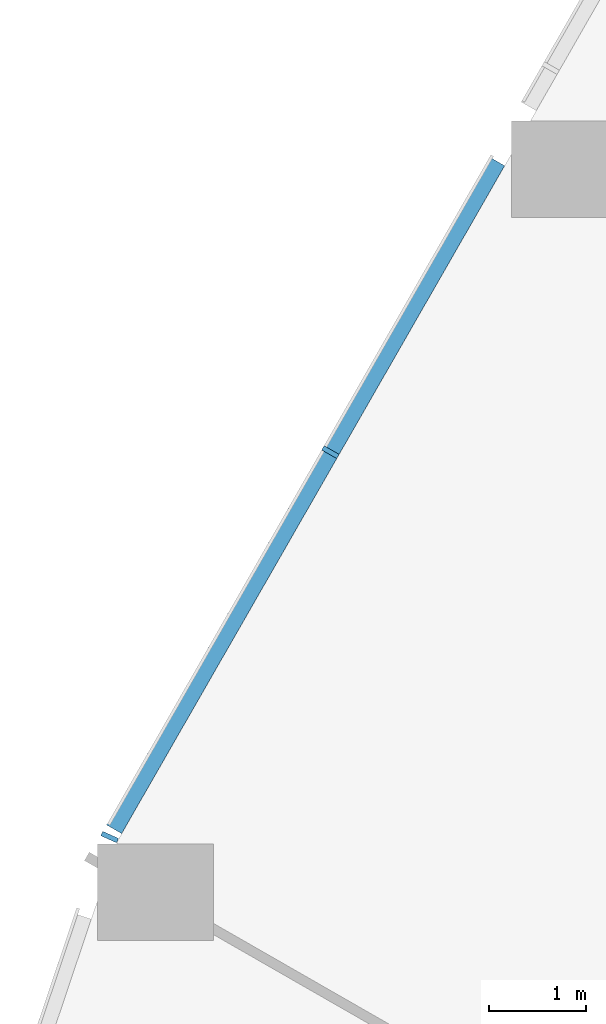
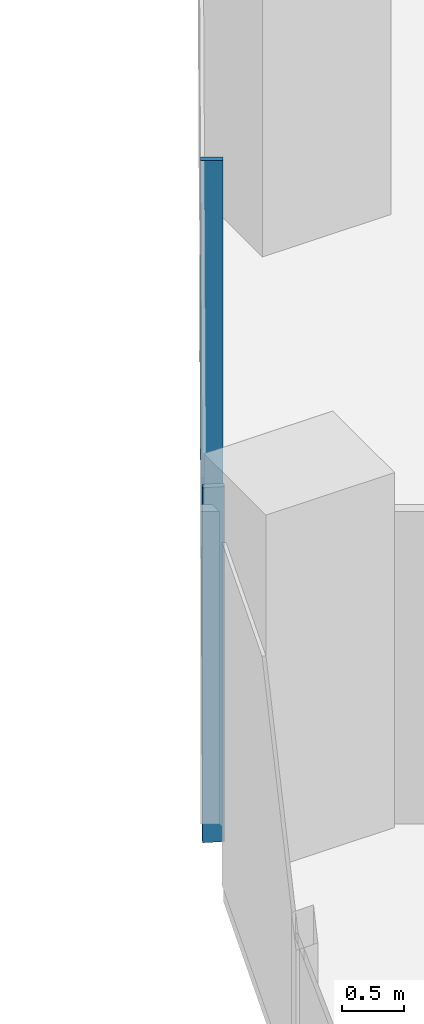
# One storey, part 4 of 34: 3 members, 1 element without a shape of its own.
"""IFC4 building model written with IfcOpenShell, lengths in metres."""

from ifc_helpers import new_model, si_unit, direction, frame, origin, origin_2d, place, context, subcontext, project, spatial, rectangle, extrude, material, material_profile, profile_set, type_object, element, aggregate, save


model = new_model("IFC4")

# Units and contexts
model_context = context("Model", 3, precision=1e-05, world=origin(), true_north=direction((0.0, 1.0)))
body_context = subcontext(model_context, "Body", "Model", "MODEL_VIEW")
ifc_project = project(units=[si_unit("LENGTHUNIT", "METRE"), si_unit("AREAUNIT", "SQUARE_METRE"), si_unit("VOLUMEUNIT", "CUBIC_METRE"), si_unit("PLANEANGLEUNIT", "RADIAN"), si_unit("MASSUNIT", "GRAM", prefix="KILO")], contexts=[model_context])

# Site, building, storey
site_placement = place(None, origin())
site = spatial("IfcSite", under=ifc_project, at=site_placement, CompositionType="ELEMENT")
building_placement = place(site_placement, origin())
building = spatial("IfcBuilding", under=site, at=building_placement, Name="Orlundy Tower", CompositionType="ELEMENT")
storey_placement = place(building_placement, frame((0.0, 0.0, 105.699951171875)))
storey = spatial("IfcBuildingStorey", under=building, at=storey_placement, Name="L26", CompositionType="ELEMENT", Elevation=105.699951171875)

# Curtain wall, members
ifc_material_1 = material(Name="Aluminium bronze anodised", Category="aluminium")
curtain_wall_type = type_object("IfcCurtainWallType", Name="CW1 wall", PredefinedType="NOTDEFINED", material=ifc_material_1)
curtain_wall_placement = place(storey_placement, origin())
curtain_wall = element("IfcCurtainWall", 1, at=curtain_wall_placement, inside=storey, type_object=curtain_wall_type, Name="CW1 run 012", PredefinedType="NOTDEFINED")
ifc_material_2 = material(Name="Aluminium bronze anodised", Category="aluminium")
ifc_material_profile_1 = material_profile(ifc_material_2, rectangle(XDim=0.179931640625, YDim=0.050048828125, at=origin_2d()), Name="CW1 mullion 50x180")
ifc_profile_set_1 = profile_set([ifc_material_profile_1], Name="Aluminium bronze anodised")
member_type_1 = type_object("IfcMemberType", Name="CW1 mullion 50x180", PredefinedType="MULLION", material=ifc_profile_set_1)
member_1_placement = place(storey_placement, frame((-42.305419921875, -33.386962890625, -0.39990234375), z_axis=(0.0, 0.0, 1.0), x_axis=(-0.912034315786, 0.410113894948, 0.0)))
member_1 = element("IfcMember", 2, at=member_1_placement, type_object=member_type_1, Name="CW1 mullion 26", PredefinedType="MULLION", context=body_context, shape_type="SweptSolid", body=[
    extrude(rectangle(XDim=0.179931640625, YDim=0.050048828125, at=origin_2d()), origin(), (0.0, 0.0, 1.0), 3.5),
])
member_2_placement = place(storey_placement, frame((-40.018310546875, -29.398681640625, -0.39990234375), z_axis=(0.0, 0.0, 1.0), x_axis=(-0.867482152182, 0.497468306172, 0.0)))
member_2 = element("IfcMember", 3, at=member_2_placement, type_object=member_type_1, Name="CW1 mullion 27", PredefinedType="MULLION", context=body_context, shape_type="SweptSolid", body=[
    extrude(rectangle(XDim=0.179931640625, YDim=0.050048828125, at=origin_2d()), origin(), (0.0, 0.0, 1.0), 3.5),
])
ifc_material_3 = material(Name="Aluminium bronze anodised", Category="aluminium")
ifc_material_profile_2 = material_profile(ifc_material_3, rectangle(XDim=0.179931640625, YDim=0.1201171875, at=origin_2d()), Name="CW1 transom 180x120")
ifc_profile_set_2 = profile_set([ifc_material_profile_2], Name="Aluminium bronze anodised")
member_type_2 = type_object("IfcMemberType", Name="CW1 transom 180x120", PredefinedType="USERDEFINED", material=ifc_profile_set_2)
member_3_placement = place(storey_placement, frame((-42.259033203125, -33.305908203125, -0.33984375), z_axis=(0.497466731285, 0.867483055318, 0.0), x_axis=(-0.867483055318, 0.497466731285, 0.0)))
member_3 = element("IfcMember", 4, at=member_3_placement, type_object=member_type_2, Name="CW1 transom", ObjectType="TRANSOM", PredefinedType="USERDEFINED", context=body_context, shape_type="SweptSolid", body=[
    extrude(rectangle(XDim=0.179931640625, YDim=0.1201171875, at=origin_2d()), origin(), (0.0, 0.0, 1.0), 7.9765625),
])
aggregate(curtain_wall, [member_1, member_2, member_3])

save(model, "model.ifc")
